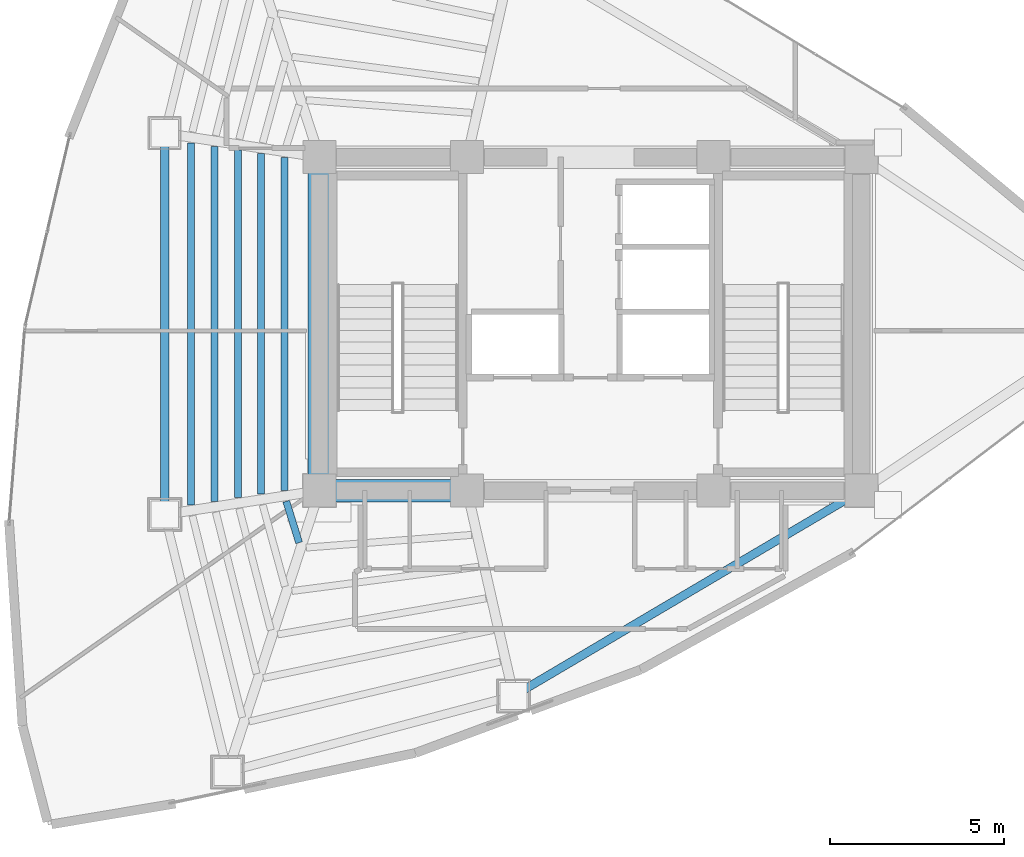
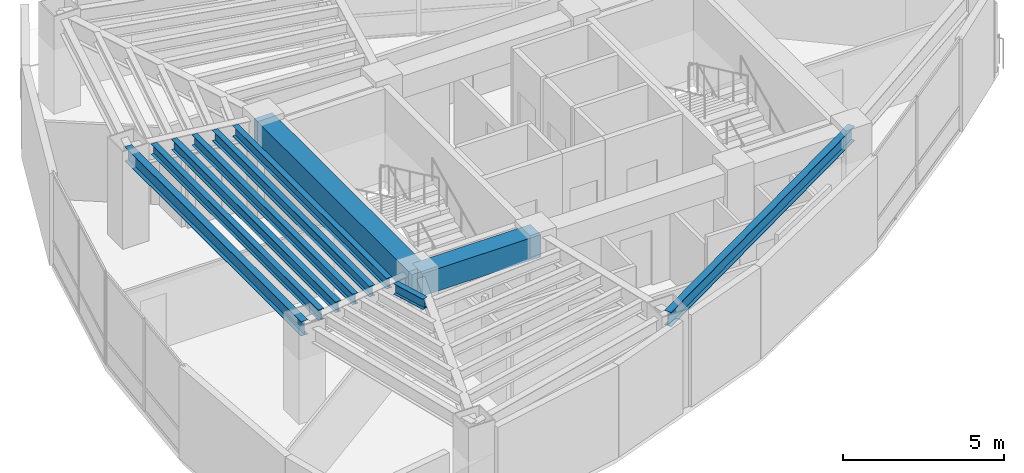
# One storey, part 3 of 15: 10 beams.
"""IFC4 building model written with IfcOpenShell, lengths in metres."""

from ifc_helpers import new_model, si_unit, direction, frame, origin, origin_2d, place, context, subcontext, project, spatial, rectangle, i_section, extrude, material, material_profile, profile_set, type_object, element, save


model = new_model("IFC4")

# Units and contexts
model_context = context("Model", 3, precision=1e-05, world=origin(), true_north=direction((0.0, 1.0)))
body_context = subcontext(model_context, "Body", "Model", "MODEL_VIEW")
ifc_project = project(units=[si_unit("LENGTHUNIT", "METRE"), si_unit("AREAUNIT", "SQUARE_METRE"), si_unit("VOLUMEUNIT", "CUBIC_METRE"), si_unit("PLANEANGLEUNIT", "RADIAN"), si_unit("MASSUNIT", "GRAM", prefix="KILO")], contexts=[model_context])

# Site, building, storey
site_placement = place(None, origin())
site = spatial("IfcSite", under=ifc_project, at=site_placement, CompositionType="ELEMENT")
building_placement = place(site_placement, origin())
building = spatial("IfcBuilding", under=site, at=building_placement, Name="Menara Vayukalpa", CompositionType="ELEMENT")
storey_placement = place(building_placement, frame((0.0, 0.0, 172.919921875)))
storey = spatial("IfcBuildingStorey", under=building, at=storey_placement, Name="L43", CompositionType="ELEMENT", Elevation=172.919921875)

# Beams
ifc_material_1 = material(Name="Concrete C60/75", Category="concrete")
ifc_material_profile_1 = material_profile(ifc_material_1, rectangle(XDim=0.64990234375, YDim=0.85009765625, at=origin_2d()), Name="RC 650x850")
ifc_profile_set_1 = profile_set([ifc_material_profile_1], Name="Concrete C60/75")
beam_type_1 = type_object("IfcBeamType", Name="BM-CB1", PredefinedType="BEAM", material=ifc_profile_set_1)
beam_1_placement = place(storey_placement, frame((17.800048828125, 17.199951171875, 3.0751953125), z_axis=(1.0, 0.0, 0.0), x_axis=(0.0, 1.0, 0.0)))
element("IfcBeam", 1, at=beam_1_placement, inside=storey, type_object=beam_type_1, Name="L43 Core Tie Beam CBR1", PredefinedType="BEAM", context=body_context, shape_type="SweptSolid", body=[
    extrude(rectangle(XDim=0.64990234375, YDim=0.85009765625, at=origin_2d()), origin(), (0.0, 0.0, 1.0), 4.25),
])
beam_2_placement = place(storey_placement, frame((17.800048828125, 17.199951171875, 3.0751953125), z_axis=(0.0, 1.0, 0.0), x_axis=(-1.0, 0.0, 0.0)))
element("IfcBeam", 2, at=beam_2_placement, inside=storey, type_object=beam_type_1, Name="L43 Core Tie Beam CBR7", PredefinedType="BEAM", context=body_context, shape_type="SweptSolid", body=[
    extrude(rectangle(XDim=0.64990234375, YDim=0.85009765625, at=origin_2d()), origin(), (0.0, 0.0, 1.0), 9.60009765625),
])
ifc_material_2 = material(Name="Steel S355", Category="steel")
ifc_material_profile_2 = material_profile(ifc_material_2, i_section(OverallWidth=0.199951171875, OverallDepth=0.39990234375, WebThickness=0.008056640625, FlangeThickness=0.012939453125, at=origin_2d()), Name="WF 400x200x8x13")
ifc_profile_set_2 = profile_set([ifc_material_profile_2], Name="Steel S355")
beam_type_2 = type_object("IfcBeamType", Name="BM-SJ2", PredefinedType="JOIST", material=ifc_profile_set_2)
beam_3_placement = place(storey_placement, frame((16.79541015625, 26.79541015625, 3.300048828125), z_axis=(0.0, -1.0, 0.0), x_axis=(1.0, 0.0, 0.0)))
element("IfcBeam", 3, at=beam_3_placement, inside=storey, type_object=beam_type_2, Name="L43 Secondary Floor Joist SJ05-1", PredefinedType="JOIST", context=body_context, shape_type="SweptSolid", body=[
    extrude(i_section(OverallWidth=0.199951171875, OverallDepth=0.39990234375, WebThickness=0.008056640625, FlangeThickness=0.012939453125, at=origin_2d()), origin(), (0.0, 0.0, 1.0), 9.5908203125),
])
beam_4_placement = place(storey_placement, frame((16.121826171875, 26.8994140625, 3.300048828125), z_axis=(0.0, -1.0, 0.0), x_axis=(1.0, 0.0, 0.0)))
element("IfcBeam", 4, at=beam_4_placement, inside=storey, type_object=beam_type_2, Name="L43 Secondary Floor Joist SJ05-2", PredefinedType="JOIST", context=body_context, shape_type="SweptSolid", body=[
    extrude(i_section(OverallWidth=0.199951171875, OverallDepth=0.39990234375, WebThickness=0.008056640625, FlangeThickness=0.012939453125, at=origin_2d()), origin(), (0.0, 0.0, 1.0), 9.798828125),
])
beam_5_placement = place(storey_placement, frame((15.448486328125, 27.003662109375, 3.300048828125), z_axis=(0.0, -1.0, 0.0), x_axis=(1.0, 0.0, 0.0)))
element("IfcBeam", 5, at=beam_5_placement, inside=storey, type_object=beam_type_2, Name="L43 Secondary Floor Joist SJ05-3", PredefinedType="JOIST", context=body_context, shape_type="SweptSolid", body=[
    extrude(i_section(OverallWidth=0.199951171875, OverallDepth=0.39990234375, WebThickness=0.008056640625, FlangeThickness=0.012939453125, at=origin_2d()), origin(), (0.0, 0.0, 1.0), 10.00732421875),
])
beam_6_placement = place(storey_placement, frame((14.77490234375, 27.10791015625, 3.300048828125), z_axis=(0.0, -1.0, 0.0), x_axis=(1.0, 0.0, 0.0)))
element("IfcBeam", 6, at=beam_6_placement, inside=storey, type_object=beam_type_2, Name="L43 Secondary Floor Joist SJ05-4", PredefinedType="JOIST", context=body_context, shape_type="SweptSolid", body=[
    extrude(i_section(OverallWidth=0.199951171875, OverallDepth=0.39990234375, WebThickness=0.008056640625, FlangeThickness=0.012939453125, at=origin_2d()), origin(), (0.0, 0.0, 1.0), 10.2158203125),
])
beam_7_placement = place(storey_placement, frame((14.1015625, 27.2119140625, 3.300048828125), z_axis=(0.0, -1.0, 0.0), x_axis=(1.0, 0.0, 0.0)))
element("IfcBeam", 7, at=beam_7_placement, inside=storey, type_object=beam_type_2, Name="L43 Secondary Floor Joist SJ05-5", PredefinedType="JOIST", context=body_context, shape_type="SweptSolid", body=[
    extrude(i_section(OverallWidth=0.199951171875, OverallDepth=0.39990234375, WebThickness=0.008056640625, FlangeThickness=0.012939453125, at=origin_2d()), origin(), (0.0, 0.0, 1.0), 10.423828125),
])
beam_8_placement = place(storey_placement, frame((16.8427734375, 16.891845703125, 3.300048828125), z_axis=(0.296448419226, -0.955048865105, 0.0), x_axis=(0.955048865105, 0.296448419226, 0.0)))
element("IfcBeam", 8, at=beam_8_placement, inside=storey, type_object=beam_type_2, Name="L43 Secondary Floor Joist SJ06-1", PredefinedType="JOIST", context=body_context, shape_type="SweptSolid", body=[
    extrude(i_section(OverallWidth=0.199951171875, OverallDepth=0.39990234375, WebThickness=0.008056640625, FlangeThickness=0.012939453125, at=origin_2d()), origin(), (0.0, 0.0, 1.0), 1.24853515625),
])
ifc_material_3 = material(Name="Steel S355", Category="steel")
ifc_material_profile_3 = material_profile(ifc_material_3, i_section(OverallWidth=0.239990234375, OverallDepth=0.550048828125, WebThickness=0.010986328125, FlangeThickness=0.01904296875, at=origin_2d()), Name="WF 550x240x11x19")
ifc_profile_set_3 = profile_set([ifc_material_profile_3], Name="Steel S355")
beam_type_3 = type_object("IfcBeamType", Name="BM-SP2", PredefinedType="SPANDREL", material=ifc_profile_set_3)
beam_9_placement = place(storey_placement, frame((13.343994140625, 27.4892578125, 3.22509765625), z_axis=(0.0, -1.0, 0.0), x_axis=(1.0, 0.0, 0.0)))
element("IfcBeam", 9, at=beam_9_placement, inside=storey, type_object=beam_type_3, Name="L43 Perimeter Spandrel Beam SP05", PredefinedType="SPANDREL", context=body_context, shape_type="SweptSolid", body=[
    extrude(i_section(OverallWidth=0.239990234375, OverallDepth=0.550048828125, WebThickness=0.010986328125, FlangeThickness=0.01904296875, at=origin_2d()), origin(), (0.0, 0.0, 1.0), 10.978515625),
])
beam_10_placement = place(storey_placement, frame((23.389404296875, 11.29150390625, 3.22509765625), z_axis=(0.861184403346, 0.508292655302, 0.0), x_axis=(-0.508292655302, 0.861184403346, 0.0)))
element("IfcBeam", 10, at=beam_10_placement, inside=storey, type_object=beam_type_3, Name="L43 Perimeter Spandrel Beam SP08", PredefinedType="SPANDREL", context=body_context, shape_type="SweptSolid", body=[
    extrude(i_section(OverallWidth=0.239990234375, OverallDepth=0.550048828125, WebThickness=0.010986328125, FlangeThickness=0.01904296875, at=origin_2d()), origin(), (0.0, 0.0, 1.0), 11.6240234375),
])

save(model, "model.ifc")
